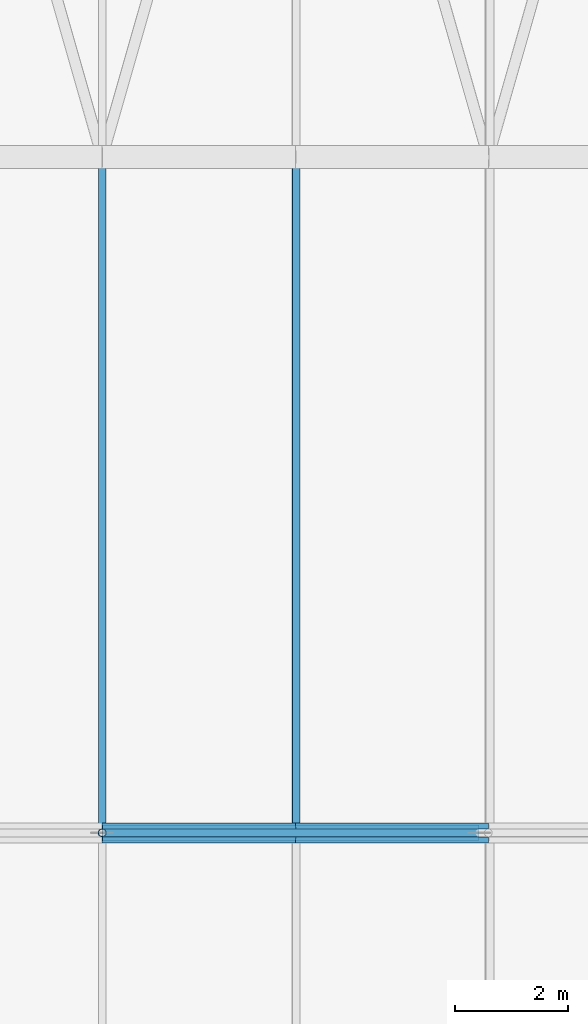
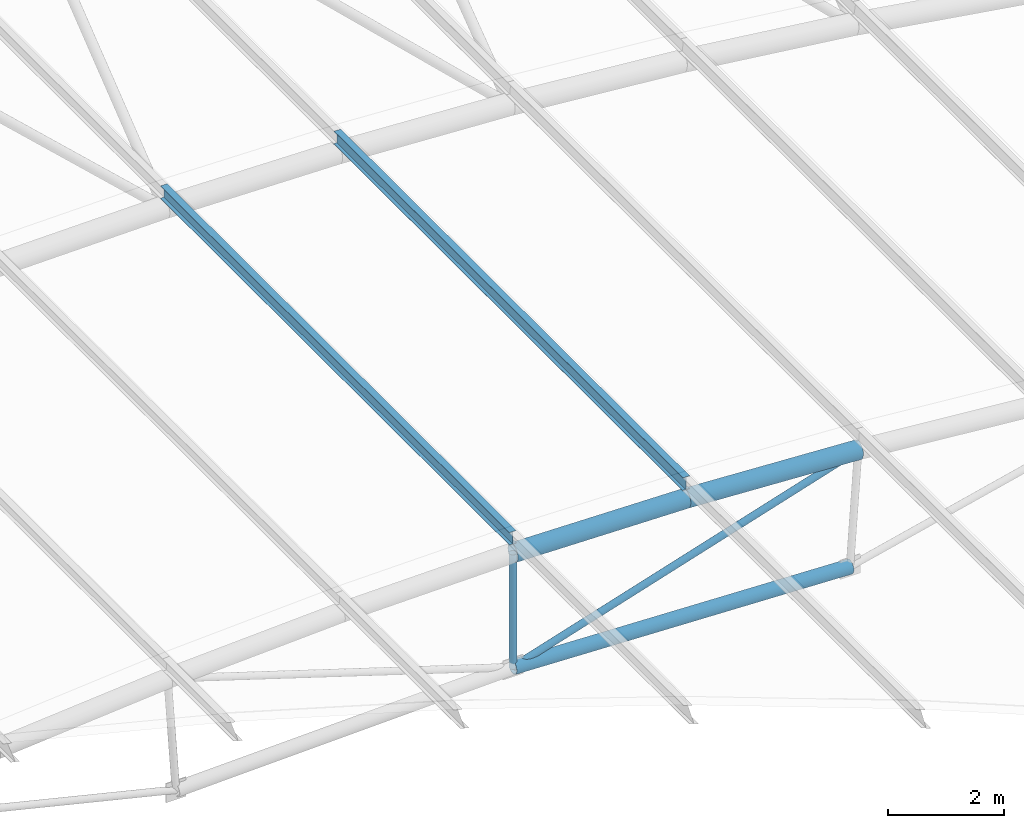
# One storey, part 15 of 91: 7 members.
"""IFC4 building model written with IfcOpenShell, lengths in metres."""

from ifc_helpers import new_model, si_unit, direction, frame, origin, origin_2d, place, context, subcontext, project, spatial, hollow_circle, i_section, extrude, material, material_profile, profile_set, type_object, element, save


model = new_model("IFC4")

# Units and contexts
model_context = context("Model", 3, precision=1e-05, world=origin(), true_north=direction((0.0, 1.0)))
body_context = subcontext(model_context, "Body", "Model", "MODEL_VIEW")
ifc_project = project(units=[si_unit("LENGTHUNIT", "METRE"), si_unit("AREAUNIT", "SQUARE_METRE"), si_unit("VOLUMEUNIT", "CUBIC_METRE"), si_unit("PLANEANGLEUNIT", "RADIAN"), si_unit("MASSUNIT", "GRAM", prefix="KILO")], contexts=[model_context])

# Site, building, storey
site_placement = place(None, origin())
site = spatial("IfcSite", under=ifc_project, at=site_placement, CompositionType="ELEMENT")
building_placement = place(site_placement, origin())
building = spatial("IfcBuilding", under=site, at=building_placement, Name="Ravi Spectrum Wholesale Market", CompositionType="ELEMENT")
storey_placement = place(building_placement, frame((0.0, 0.0, 16.199951171875)))
storey = spatial("IfcBuildingStorey", under=building, at=storey_placement, Name="ROOF PLANT LEVEL", CompositionType="ELEMENT", Elevation=16.199951171875)

# Members
ifc_material_1 = material(Name="Steel S355", Category="steel")
ifc_material_profile_1 = material_profile(ifc_material_1, hollow_circle(Radius=0.06982421875, WallThickness=0.0048828125, at=origin_2d()))
ifc_profile_set_1 = profile_set([ifc_material_profile_1], Name="Steel S355")
member_type_1 = type_object("IfcMemberType", Name="CHS 139.7x5 brace", PredefinedType="BRACE", material=ifc_profile_set_1)
member_1_placement = place(storey_placement, frame((76.857177734375, 138.0, 2.788818359375), z_axis=(-0.953666273238, 0.0, -0.300866480833), x_axis=(0.0, -1.0, 0.0)))
element("IfcMember", 1, at=member_1_placement, inside=storey, type_object=member_type_1, Name="H1-MB-L02-800", PredefinedType="BRACE", context=body_context, shape_type="SweptSolid", body=[
    extrude(hollow_circle(Radius=0.06982421875, WallThickness=0.0048828125, at=origin_2d()), origin(), (0.0, 0.0, 1.0), 7.1904296875),
])
ifc_material_2 = material(Name="Steel S355", Category="steel")
ifc_material_profile_2 = material_profile(ifc_material_2, hollow_circle(Radius=0.06982421875, WallThickness=0.0048828125, at=origin_2d()))
ifc_profile_set_2 = profile_set([ifc_material_profile_2], Name="Steel S355")
member_type_2 = type_object("IfcMemberType", Name="CHS 139.7x5 post", PredefinedType="POST", material=ifc_profile_set_2)
member_2_placement = place(storey_placement, frame((70.0, 138.0, 3.025390625), z_axis=(0.0, 0.0, -1.0), x_axis=(1.0, 0.0, 0.0)))
element("IfcMember", 2, at=member_2_placement, inside=storey, type_object=member_type_2, Name="H1-MB-L02-789", PredefinedType="POST", context=body_context, shape_type="SweptSolid", body=[
    extrude(hollow_circle(Radius=0.06982421875, WallThickness=0.0048828125, at=origin_2d()), origin(), (0.0, 0.0, 1.0), 2.39990234375),
])
ifc_material_3 = material(Name="Steel S355", Category="steel")
ifc_material_profile_3 = material_profile(ifc_material_3, hollow_circle(Radius=0.136474609375, WallThickness=0.010009765625, at=origin_2d()))
ifc_profile_set_3 = profile_set([ifc_material_profile_3], Name="Steel S355")
member_type_3 = type_object("IfcMemberType", Name="CHS 273x10 chord", PredefinedType="CHORD", material=ifc_profile_set_3)
member_3_placement = place(storey_placement, frame((70.0, 138.0, 0.62548828125), z_axis=(0.999404959621, 0.0, -0.034492414878), x_axis=(0.0, 1.0, 0.0)))
element("IfcMember", 3, at=member_3_placement, inside=storey, type_object=member_type_3, Name="H1-MB-L02-778", PredefinedType="CHORD", context=body_context, shape_type="SweptSolid", body=[
    extrude(hollow_circle(Radius=0.136474609375, WallThickness=0.010009765625, at=origin_2d()), origin(), (0.0, 0.0, 1.0), 6.69580078125),
])
ifc_material_4 = material(Name="Steel S355", Category="steel")
ifc_material_profile_4 = material_profile(ifc_material_4, hollow_circle(Radius=0.177734375, WallThickness=0.012451171875, at=origin_2d()))
ifc_profile_set_4 = profile_set([ifc_material_profile_4], Name="Steel S355")
member_type_4 = type_object("IfcMemberType", Name="CHS 355.6x12.5 chord", PredefinedType="CHORD", material=ifc_profile_set_4)
for number, where, z_axis, x_axis, name in (
    (4, (70.0, 138.0, 3.025390625), (0.99985173868, 0.0, -0.017219194475), (0.0, 1.0, 0.0), "H1-MB-L02-760"),
    (5, (73.4306640625, 138.0, 2.96630859375), (0.998661121681, 0.0, -0.051729721087), (0.0, 1.0, 0.0), "H1-MB-L02-761"),
):
    element("IfcMember", number, at=place(storey_placement, frame(where, z_axis=z_axis, x_axis=x_axis)), inside=storey, type_object=member_type_4, Name=name, PredefinedType="CHORD", context=body_context, shape_type="SweptSolid", body=[
        extrude(hollow_circle(Radius=0.177734375, WallThickness=0.012451171875, at=origin_2d()), origin(), (0.0, 0.0, 1.0), 3.43115234375),
    ])
ifc_material_5 = material(Name="Steel S355", Category="steel")
ifc_material_profile_5 = material_profile(ifc_material_5, i_section(OverallWidth=0.135009765625, OverallDepth=0.27001953125, WebThickness=0.006591796875, FlangeThickness=0.01025390625, at=origin_2d()))
ifc_profile_set_5 = profile_set([ifc_material_profile_5], Name="Steel S355")
member_type_5 = type_object("IfcMemberType", Name="IPE 270 purlin", PredefinedType="PURLIN", material=ifc_profile_set_5)
for number, where, z_axis, x_axis, name in (
    (6, (70.0, 138.0, 3.338134765625), (0.0, 1.0, 0.0), (-1.0, 0.0, 0.0), "H1-MB-L02-1471"),
    (7, (73.44140625, 138.0, 3.27880859375), (0.0, 1.0, 0.0), (-0.999404978812, 0.0, 0.034491858836), "H1-MB-L02-1472"),
):
    element("IfcMember", number, at=place(storey_placement, frame(where, z_axis=z_axis, x_axis=x_axis)), inside=storey, type_object=member_type_5, Name=name, PredefinedType="PURLIN", context=body_context, shape_type="SweptSolid", body=[
        extrude(i_section(OverallWidth=0.135009765625, OverallDepth=0.27001953125, WebThickness=0.006591796875, FlangeThickness=0.01025390625, at=origin_2d()), origin(), (0.0, 0.0, 1.0), 12.0),
    ])

save(model, "model.ifc")
